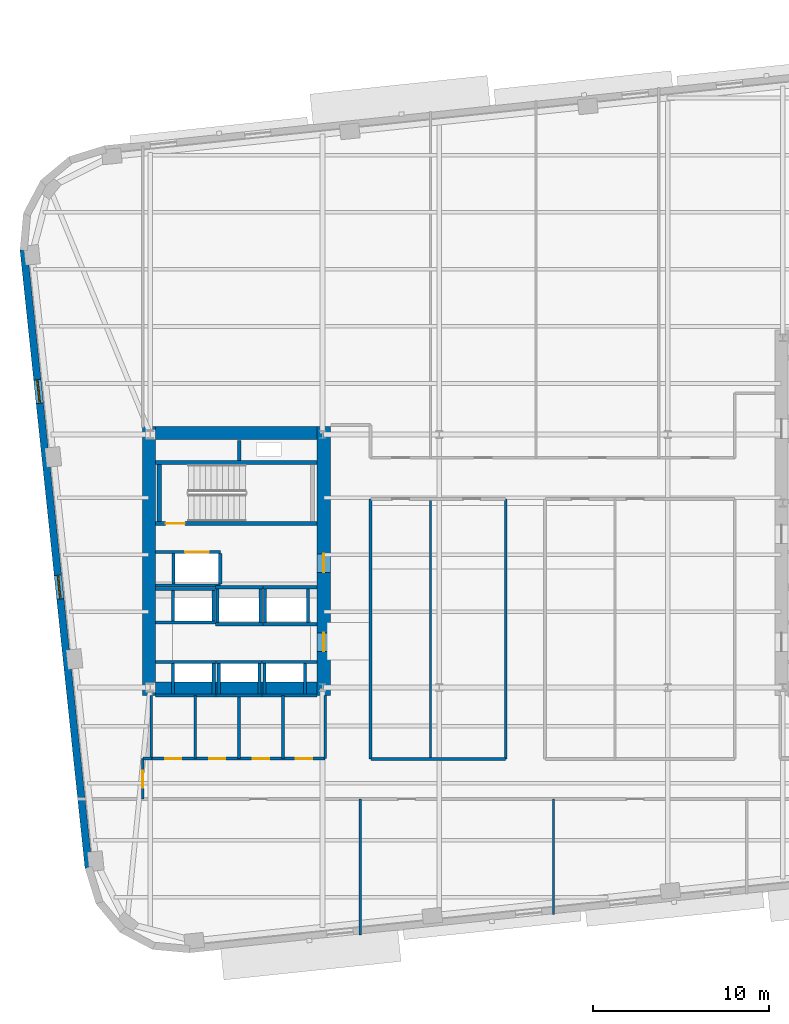
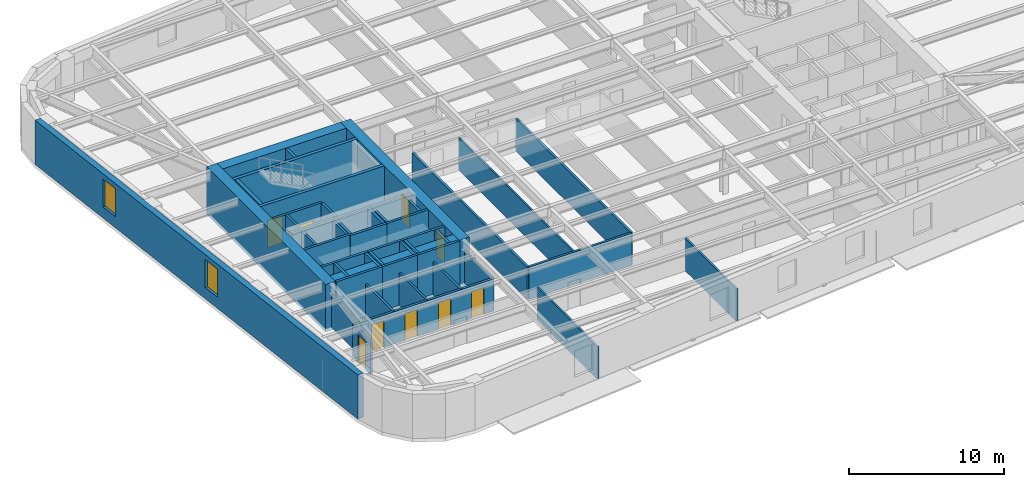
# One storey, part 4 of 13: 51 walls, 9 doors, 2 windows, 11 openings.
"""IFC4 building model written with IfcOpenShell, lengths in metres."""

from ifc_helpers import new_model, si_unit, direction, frame, frame_2d, origin, place, context, subcontext, project, spatial, rectangle, extrude, material, layer, layer_set, type_object, element, fill, save


model = new_model("IFC4")

# Units and contexts
model_context = context("Model", 3, precision=1e-05, world=origin(), true_north=direction((0.0, 1.0)))
body_context = subcontext(model_context, "Body", "Model", "MODEL_VIEW")
ifc_project = project(units=[si_unit("LENGTHUNIT", "METRE"), si_unit("AREAUNIT", "SQUARE_METRE"), si_unit("VOLUMEUNIT", "CUBIC_METRE"), si_unit("PLANEANGLEUNIT", "RADIAN"), si_unit("MASSUNIT", "GRAM", prefix="KILO")], contexts=[model_context])

# Site, building, storey
site_placement = place(None, origin())
site = spatial("IfcSite", under=ifc_project, at=site_placement, CompositionType="ELEMENT")
building_placement = place(site_placement, origin())
building = spatial("IfcBuilding", under=site, at=building_placement, Name="Kolvaren Arena Tower", CompositionType="ELEMENT")
storey_placement = place(building_placement, frame((0.0, 0.0, 114.699951171875)))
storey = spatial("IfcBuildingStorey", under=building, at=storey_placement, Name="L26", CompositionType="ELEMENT", Elevation=114.699951171875)

# Walls
ifc_material_1 = material(Name="Gypsum board acoustic assembly", Category="gypsum")
ifc_layer_1 = layer(ifc_material_1, 0.159912109375)
ifc_layer_set_1 = layer_set([ifc_layer_1], Name="Gypsum board acoustic assembly")
wall_type_1 = type_object("IfcWallType", Name="CORR-160", PredefinedType="PARTITIONING", material=ifc_layer_set_1)
wall_1_placement = place(storey_placement, frame((27.10009765625, 15.3798828125, 0.0), z_axis=(0.0, 0.0, 1.0), x_axis=(1.0, 0.0, 0.0)))
element("IfcWall", 1, at=wall_1_placement, inside=storey, type_object=wall_type_1, Name="Interior Partition Wall (L26)", PredefinedType="PARTITIONING", context=body_context, shape_type="SweptSolid", body=[
    extrude(rectangle(XDim=7.659912109375, YDim=0.159912109375, at=frame_2d((3.830078125, 0.0))), origin(), (0.0, 0.0, 1.0), 2.5400390625),
])
for number, where, z_axis, x_axis, name in (
    (2, (34.780029296875, 15.3798828125, 0.0), (0.0, 0.0, 1.0), (0.0, 1.0, 0.0), "Interior Partition Wall (L26)"),
    (3, (27.080078125, 15.3798828125, 0.0), (0.0, 0.0, 1.0), (0.0, 1.0, 0.0), "Interior Partition Wall (L26)"),
):
    element("IfcWall", number, at=place(storey_placement, frame(where, z_axis=z_axis, x_axis=x_axis)), inside=storey, type_object=wall_type_1, Name=name, PredefinedType="PARTITIONING", context=body_context, shape_type="SweptSolid", body=[
        extrude(rectangle(XDim=14.800048828125, YDim=0.159912109375, at=frame_2d((7.39990234375, 0.0))), origin(), (0.0, 0.0, 1.0), 2.5400390625),
    ])

# Wall, opening, door
wall_2_placement = place(storey_placement, frame((14.1201171875, 13.10009765625, 0.0), z_axis=(0.0, 0.0, 1.0), x_axis=(0.0, 1.0, 0.0)))
wall_2 = element("IfcWall", 4, at=wall_2_placement, inside=storey, type_object=wall_type_1, Name="Interior Partition Wall (L26)", PredefinedType="PARTITIONING", context=body_context, shape_type="SweptSolid", body=[
    extrude(rectangle(XDim=2.2998046875, YDim=0.159912109375, at=frame_2d((1.14990234375, 0.0))), origin(), (0.0, 0.0, 1.0), 2.5400390625),
])
opening_1_placement = place(wall_2_placement, frame((0.64990234375, 0.0, 0.0)))
opening_1 = element("IfcOpeningElement", 5, at=opening_1_placement, cuts=wall_2, Name="Opening D05", PredefinedType="OPENING", context=body_context, shape_type="SweptSolid", body=[
    extrude(rectangle(XDim=0.949951171875, YDim=2.14990234375, at=frame_2d((0.47509765625, 1.074951171875))), frame((0.0, 0.08984375, 0.0), z_axis=(0.0, -1.0, 0.0), x_axis=(1.0, 0.0, 0.0)), (0.0, 0.0, 1.0), 0.179931640625),
])
ifc_material_2 = material(Name="Solid-core oak acoustic office door", Category="wood")
door_type_1 = type_object("IfcDoorType", Name="DOOR-OF-095", OperationType="NOTDEFINED", PredefinedType="DOOR", material=ifc_material_2)
door_1_placement = place(opening_1_placement, origin())
door_1 = element("IfcDoor", 6, at=door_1_placement, inside=storey, type_object=door_type_1, Name="West Wing Office Door (L26)", OperationType="SINGLE_SWING_LEFT", OverallHeight=2.14990234375, OverallWidth=0.949951171875, PredefinedType="DOOR", context=body_context, shape_type="SweptSolid", body=[
    extrude(rectangle(XDim=0.949951171875, YDim=2.14990234375, at=frame_2d((0.47509765625, 1.074951171875))), frame((0.0, 0.02490234375, 0.0), z_axis=(0.0, -1.0, 0.0), x_axis=(1.0, 0.0, 0.0)), (0.0, 0.0, 1.0), 0.050048828125),
])
fill(opening_1, door_1)

# Walls
wall_3_placement = place(storey_placement, frame((14.1201171875, 15.39990234375, 0.0), z_axis=(0.0, 0.0, 1.0), x_axis=(1.0, 0.0, 0.0)))
element("IfcWall", 7, at=wall_3_placement, inside=storey, type_object=wall_type_1, Name="Interior Partition Wall (L26)", PredefinedType="PARTITIONING", context=body_context, shape_type="SweptSolid", body=[
    extrude(rectangle(XDim=0.5, YDim=0.159912109375, at=frame_2d((0.25, 0.0))), origin(), (0.0, 0.0, 1.0), 2.5400390625),
])
ifc_material_3 = material(Name="Concrete 70 MPa", Category="concrete")
ifc_layer_2 = layer(ifc_material_3, 0.75)
ifc_layer_set_2 = layer_set([ifc_layer_2], Name="Concrete 70 MPa")
wall_type_2 = type_object("IfcWallType", Name="CWALL-750", PredefinedType="SHEAR", material=ifc_layer_set_2)
wall_4_placement = place(storey_placement, frame((14.47509765625, 19.0, -0.27001953125), z_axis=(0.0, 0.0, 1.0), x_axis=(0.0, 1.0, 0.0)))
element("IfcWall", 8, at=wall_4_placement, inside=storey, type_object=wall_type_2, Name="Core Shear Wall WC-WEST (L26)", PredefinedType="SHEAR", context=body_context, shape_type="SweptSolid", body=[
    extrude(rectangle(XDim=15.300048828125, YDim=0.75, at=frame_2d((7.64990234375, 0.0))), origin(), (0.0, 0.0, 1.0), 3.75),
])

# Wall, openings, doors
wall_5_placement = place(storey_placement, frame((24.425048828125, 19.0, -0.27001953125), z_axis=(0.0, 0.0, 1.0), x_axis=(0.0, 1.0, 0.0)))
wall_5 = element("IfcWall", 9, at=wall_5_placement, inside=storey, type_object=wall_type_2, Name="Core Shear Wall WC-EAST (L26)", PredefinedType="SHEAR", context=body_context, shape_type="SweptSolid", body=[
    extrude(rectangle(XDim=15.300048828125, YDim=0.75, at=frame_2d((7.64990234375, 0.0))), origin(), (0.0, 0.0, 1.0), 3.75),
])
opening_2_placement = place(wall_5_placement, frame((2.5, 0.0, 0.27001953125)))
opening_2 = element("IfcOpeningElement", 10, at=opening_2_placement, cuts=wall_5, Name="Opening D04", PredefinedType="OPENING", context=body_context, shape_type="SweptSolid", body=[
    extrude(rectangle(XDim=1.050048828125, YDim=2.14990234375, at=frame_2d((0.52490234375, 1.074951171875))), frame((0.0, 0.385009765625, 0.0), z_axis=(0.0, -1.0, 0.0), x_axis=(1.0, 0.0, 0.0)), (0.0, 0.0, 1.0), 0.77001953125),
])
opening_3_placement = place(wall_5_placement, frame((7.0, 0.0, 0.27001953125)))
opening_3 = element("IfcOpeningElement", 11, at=opening_3_placement, cuts=wall_5, Name="Opening D04", PredefinedType="OPENING", context=body_context, shape_type="SweptSolid", body=[
    extrude(rectangle(XDim=1.050048828125, YDim=2.14990234375, at=frame_2d((0.52490234375, 1.074951171875))), frame((0.0, 0.385009765625, 0.0), z_axis=(0.0, -1.0, 0.0), x_axis=(1.0, 0.0, 0.0)), (0.0, 0.0, 1.0), 0.77001953125),
])
ifc_material_4 = material(Name="Fire-rated steel lobby door", Category="steel")
door_type_2 = type_object("IfcDoorType", Name="DOOR-FF-105", OperationType="NOTDEFINED", PredefinedType="DOOR", material=ifc_material_4)
door_2_placement = place(opening_2_placement, origin())
door_2 = element("IfcDoor", 12, at=door_2_placement, inside=storey, type_object=door_type_2, Name="West Lift Lobby Fire Door (L26)", OperationType="SINGLE_SWING_LEFT", OverallHeight=2.14990234375, OverallWidth=1.050048828125, PredefinedType="DOOR", context=body_context, shape_type="SweptSolid", body=[
    extrude(rectangle(XDim=1.050048828125, YDim=2.14990234375, at=frame_2d((0.52490234375, 1.074951171875))), frame((0.0, 0.02490234375, 0.0), z_axis=(0.0, -1.0, 0.0), x_axis=(1.0, 0.0, 0.0)), (0.0, 0.0, 1.0), 0.050048828125),
])
fill(opening_2, door_2)
door_3_placement = place(opening_3_placement, origin())
door_3 = element("IfcDoor", 13, at=door_3_placement, inside=storey, type_object=door_type_2, Name="West Firefighter Vestibule Door (L26)", OperationType="SINGLE_SWING_RIGHT", OverallHeight=2.14990234375, OverallWidth=1.050048828125, PredefinedType="DOOR", context=body_context, shape_type="SweptSolid", body=[
    extrude(rectangle(XDim=1.050048828125, YDim=2.14990234375, at=frame_2d((0.52490234375, 1.074951171875))), frame((0.0, 0.02490234375, 0.0), z_axis=(0.0, -1.0, 0.0), x_axis=(1.0, 0.0, 0.0)), (0.0, 0.0, 1.0), 0.050048828125),
])
fill(opening_3, door_3)

# Walls
for number, where, z_axis, x_axis, name in (
    (14, (14.85009765625, 19.375, -0.27001953125), (0.0, 0.0, 1.0), (1.0, 0.0, 0.0), "Core Shear Wall WC-SOUTH (L26)"),
    (15, (14.85009765625, 33.925048828125, -0.27001953125), (0.0, 0.0, 1.0), (1.0, 0.0, 0.0), "Core Shear Wall WC-NORTH (L26)"),
):
    element("IfcWall", number, at=place(storey_placement, frame(where, z_axis=z_axis, x_axis=x_axis)), inside=storey, type_object=wall_type_2, Name=name, PredefinedType="SHEAR", context=body_context, shape_type="SweptSolid", body=[
        extrude(rectangle(XDim=9.199951171875, YDim=0.75, at=frame_2d((4.60009765625, 0.0))), origin(), (0.0, 0.0, 1.0), 3.75),
    ])

# Wall, openings, windows
ifc_material_5 = material(Name="Precast concrete C50/60", Category="concrete")
ifc_layer_3 = layer(ifc_material_5, 0.419921875)
ifc_layer_set_3 = layer_set([ifc_layer_3], Name="Precast concrete C50/60")
wall_type_3 = type_object("IfcWallType", Name="EXT-PIER1", PredefinedType="SOLIDWALL", material=ifc_layer_set_3)
wall_6_placement = place(storey_placement, frame((11.039794921875, 9.16943359375, 0.0), z_axis=(0.0, 0.0, 1.0), x_axis=(-0.104532207177, 0.99452150186, 0.0)))
wall_6 = element("IfcWall", 16, at=wall_6_placement, inside=storey, type_object=wall_type_3, Name="Exterior Precast Masonry-Frame Wall (L26)", PredefinedType="SOLIDWALL", context=body_context, shape_type="SweptSolid", body=[
    extrude(rectangle(XDim=35.39990234375, YDim=0.419921875, at=frame_2d((17.699951171875, 0.0))), origin(), (0.0, 0.0, 1.0), 3.47998046875),
])
opening_4_placement = place(wall_6_placement, frame((15.39990234375, 0.0, 0.8798828125)))
opening_4 = element("IfcOpeningElement", 17, at=opening_4_placement, cuts=wall_6, Name="Opening W04", PredefinedType="OPENING", context=body_context, shape_type="SweptSolid", body=[
    extrude(rectangle(XDim=1.35009765625, YDim=2.199951171875, at=frame_2d((0.675048828125, 1.10009765625))), frame((0.0, 0.219970703125, 0.0), z_axis=(0.0, -1.0, 0.0), x_axis=(1.0, 0.0, 0.0)), (0.0, 0.0, 1.0), 0.43994140625),
])
opening_5_placement = place(wall_6_placement, frame((26.60009765625, 0.0, 0.8798828125)))
opening_5 = element("IfcOpeningElement", 18, at=opening_5_placement, cuts=wall_6, Name="Opening W04", PredefinedType="OPENING", context=body_context, shape_type="SweptSolid", body=[
    extrude(rectangle(XDim=1.35009765625, YDim=2.199951171875, at=frame_2d((0.675048828125, 1.10009765625))), frame((0.0, 0.219970703125, 0.0), z_axis=(0.0, -1.0, 0.0), x_axis=(1.0, 0.0, 0.0)), (0.0, 0.0, 1.0), 0.43994140625),
])
ifc_material_6 = material(Name="Triple-glazed curved-facet corner window", Category="glass")
window_type = type_object("IfcWindowType", Name="WIN-CRN-A", PartitioningType="SINGLE_PANEL", PredefinedType="WINDOW", material=ifc_material_6)
window_1_placement = place(opening_4_placement, origin())
window_1 = element("IfcWindow", 19, at=window_1_placement, inside=storey, type_object=window_type, Name="End-Wall Punched Window (L26)", OverallHeight=2.199951171875, OverallWidth=1.35009765625, PartitioningType="SINGLE_PANEL", PredefinedType="WINDOW", context=body_context, shape_type="SweptSolid", body=[
    extrude(rectangle(XDim=1.35009765625, YDim=2.199951171875, at=frame_2d((0.675048828125, 1.10009765625))), frame((0.0, 0.030029296875, 0.0), z_axis=(0.0, -1.0, 0.0), x_axis=(1.0, 0.0, 0.0)), (0.0, 0.0, 1.0), 0.06005859375),
])
fill(opening_4, window_1)
window_2_placement = place(opening_5_placement, origin())
window_2 = element("IfcWindow", 20, at=window_2_placement, inside=storey, type_object=window_type, Name="End-Wall Punched Window (L26)", OverallHeight=2.199951171875, OverallWidth=1.35009765625, PartitioningType="SINGLE_PANEL", PredefinedType="WINDOW", context=body_context, shape_type="SweptSolid", body=[
    extrude(rectangle(XDim=1.35009765625, YDim=2.199951171875, at=frame_2d((0.675048828125, 1.10009765625))), frame((0.0, 0.030029296875, 0.0), z_axis=(0.0, -1.0, 0.0), x_axis=(1.0, 0.0, 0.0)), (0.0, 0.0, 1.0), 0.06005859375),
])
fill(opening_5, window_2)

# Walls
ifc_material_7 = material(Name="Gypsum board partition assembly", Category="gypsum")
ifc_layer_4 = layer(ifc_material_7, 0.114990234375)
ifc_layer_set_4 = layer_set([ifc_layer_4], Name="Gypsum board partition assembly")
wall_type_4 = type_object("IfcWallType", Name="PART-115", PredefinedType="PARTITIONING", material=ifc_layer_set_4)
wall_7_placement = place(storey_placement, frame((30.5, 15.3798828125, 0.0), z_axis=(0.0, 0.0, 1.0), x_axis=(0.0, 1.0, 0.0)))
element("IfcWall", 21, at=wall_7_placement, inside=storey, type_object=wall_type_4, Name="Interior Partition Wall (L26)", PredefinedType="PARTITIONING", context=body_context, shape_type="SweptSolid", body=[
    extrude(rectangle(XDim=14.800048828125, YDim=0.114990234375, at=frame_2d((7.39990234375, 0.0))), origin(), (0.0, 0.0, 1.0), 2.5400390625),
])
ifc_layer_5 = layer(ifc_material_7, 0.135009765625)
ifc_layer_set_5 = layer_set([ifc_layer_5], Name="Gypsum board partition assembly")
wall_type_5 = type_object("IfcWallType", Name="PART-135", PredefinedType="PARTITIONING", material=ifc_layer_set_5)
wall_8_placement = place(storey_placement, frame((26.5, 5.36474609375, 0.0), z_axis=(0.0, 0.0, 1.0), x_axis=(0.0, 1.0, 0.0)))
element("IfcWall", 22, at=wall_8_placement, inside=storey, type_object=wall_type_5, Name="Interior Partition Wall (L26)", PredefinedType="PARTITIONING", context=body_context, shape_type="SweptSolid", body=[
    extrude(rectangle(XDim=7.7353515625, YDim=0.135009765625, at=frame_2d((3.86767578125, 0.0))), origin(), (0.0, 0.0, 1.0), 2.5400390625),
])
wall_9_placement = place(storey_placement, frame((37.5, 6.520751953125, 0.0), z_axis=(0.0, 0.0, 1.0), x_axis=(0.0, 1.0, 0.0)))
element("IfcWall", 23, at=wall_9_placement, inside=storey, type_object=wall_type_5, Name="Interior Partition Wall (L26)", PredefinedType="PARTITIONING", context=body_context, shape_type="SweptSolid", body=[
    extrude(rectangle(XDim=6.579345703125, YDim=0.135009765625, at=frame_2d((3.28955078125, 0.0))), origin(), (0.0, 0.0, 1.0), 2.5400390625),
])

# Wall, opening, door
ifc_material_8 = material(Name="Concrete 45 MPa", Category="concrete")
ifc_layer_6 = layer(ifc_material_8, 0.25)
ifc_layer_set_6 = layer_set([ifc_layer_6], Name="Concrete 45 MPa")
wall_type_6 = type_object("IfcWallType", Name="SHAFT-250", PredefinedType="SOLIDWALL", material=ifc_layer_set_6)
wall_10_placement = place(storey_placement, frame((24.050048828125, 28.780029296875, 0.0), z_axis=(0.0, 0.0, 1.0), x_axis=(-1.0, 0.0, 0.0)))
wall_10 = element("IfcWall", 24, at=wall_10_placement, inside=storey, type_object=wall_type_6, Name="Core Shaft Wall (L26)", PredefinedType="SOLIDWALL", context=body_context, shape_type="SweptSolid", body=[
    extrude(rectangle(XDim=9.199951171875, YDim=0.239990234375, at=frame_2d((4.60009765625, 0.0))), origin(), (0.0, 0.0, 1.0), 3.47998046875),
])
opening_6_placement = place(wall_10_placement, frame((7.530029296875, 0.0, 0.0)))
opening_6 = element("IfcOpeningElement", 25, at=opening_6_placement, cuts=wall_10, Name="Opening D03", PredefinedType="OPENING", context=body_context, shape_type="SweptSolid", body=[
    extrude(rectangle(XDim=1.10009765625, YDim=2.14990234375, at=frame_2d((0.550048828125, 1.074951171875))), frame((0.0, 0.1298828125, 0.0), z_axis=(0.0, -1.0, 0.0), x_axis=(1.0, 0.0, 0.0)), (0.0, 0.0, 1.0), 0.260009765625),
])
ifc_material_9 = material(Name="Fire-rated steel exit stair door", Category="steel")
door_type_3 = type_object("IfcDoorType", Name="DOOR-ST-110", OperationType="NOTDEFINED", PredefinedType="DOOR", material=ifc_material_9)
door_4_placement = place(opening_6_placement, origin())
door_4 = element("IfcDoor", 26, at=door_4_placement, inside=storey, type_object=door_type_3, Name="Stair ST-W1 Fire Door (L26)", OperationType="SINGLE_SWING_RIGHT", OverallHeight=2.14990234375, OverallWidth=1.10009765625, PredefinedType="DOOR", context=body_context, shape_type="SweptSolid", body=[
    extrude(rectangle(XDim=1.10009765625, YDim=2.14990234375, at=frame_2d((0.550048828125, 1.074951171875))), frame((0.0, 0.02490234375, 0.0), z_axis=(0.0, -1.0, 0.0), x_axis=(1.0, 0.0, 0.0)), (0.0, 0.0, 1.0), 0.050048828125),
])
fill(opening_6, door_4)

# Walls
wall_11_placement = place(storey_placement, frame((14.85009765625, 32.25, 0.0), z_axis=(0.0, 0.0, 1.0), x_axis=(1.0, 0.0, 0.0)))
element("IfcWall", 27, at=wall_11_placement, inside=storey, type_object=wall_type_6, Name="Core Shaft Wall (L26)", PredefinedType="SOLIDWALL", context=body_context, shape_type="SweptSolid", body=[
    extrude(rectangle(XDim=9.199951171875, YDim=0.239990234375, at=frame_2d((4.60009765625, 0.0))), origin(), (0.0, 0.0, 1.0), 3.47998046875),
])
wall_12_placement = place(storey_placement, frame((15.06005859375, 28.89990234375, 0.0), z_axis=(0.0, 0.0, 1.0), x_axis=(0.0, 1.0, 0.0)))
element("IfcWall", 28, at=wall_12_placement, inside=storey, type_object=wall_type_6, Name="Core Shaft Wall (L26)", PredefinedType="SOLIDWALL", context=body_context, shape_type="SweptSolid", body=[
    extrude(rectangle(XDim=3.22998046875, YDim=0.239990234375, at=frame_2d((1.614990234375, 0.0))), origin(), (0.0, 0.0, 1.0), 3.47998046875),
])
wall_13_placement = place(storey_placement, frame((19.60009765625, 32.3701171875, 0.0), z_axis=(0.0, 0.0, 1.0), x_axis=(0.0, 1.0, 0.0)))
element("IfcWall", 29, at=wall_13_placement, inside=storey, type_object=wall_type_6, Name="Core Shaft Wall (L26)", PredefinedType="SOLIDWALL", context=body_context, shape_type="SweptSolid", body=[
    extrude(rectangle(XDim=1.1298828125, YDim=0.199951171875, at=frame_2d((0.56494140625, 0.0))), origin(), (0.0, 0.0, 1.0), 3.47998046875),
])
for number, where, z_axis, x_axis, name in (
    (30, (14.85009765625, 20.905029296875, 0.0), (0.0, 0.0, 1.0), (1.0, 0.0, 0.0), "Core Shaft Wall (L26)"),
    (31, (14.85009765625, 18.9951171875, 0.0), (0.0, 0.0, 1.0), (1.0, 0.0, 0.0), "Core Shaft Wall (L26)"),
):
    element("IfcWall", number, at=place(storey_placement, frame(where, z_axis=z_axis, x_axis=x_axis)), inside=storey, type_object=wall_type_6, Name=name, PredefinedType="SOLIDWALL", context=body_context, shape_type="SweptSolid", body=[
        extrude(rectangle(XDim=3.449951171875, YDim=0.179931640625, at=frame_2d((1.72509765625, 0.0))), origin(), (0.0, 0.0, 1.0), 3.47998046875),
    ])
for number, where, z_axis, x_axis, name in (
    (32, (15.844970703125, 19.0849609375, 0.0), (0.0, 0.0, 1.0), (0.0, 1.0, 0.0), "Core Shaft Wall (L26)"),
    (33, (18.155029296875, 19.0849609375, 0.0), (0.0, 0.0, 1.0), (0.0, 1.0, 0.0), "Core Shaft Wall (L26)"),
):
    element("IfcWall", number, at=place(storey_placement, frame(where, z_axis=z_axis, x_axis=x_axis)), inside=storey, type_object=wall_type_6, Name=name, PredefinedType="SOLIDWALL", context=body_context, shape_type="SweptSolid", body=[
        extrude(rectangle(XDim=1.72998046875, YDim=0.179931640625, at=frame_2d((0.864990234375, 0.0))), origin(), (0.0, 0.0, 1.0), 3.47998046875),
    ])
for number, where, z_axis, x_axis, name in (
    (34, (18.300048828125, 20.905029296875, 0.0), (0.0, 0.0, 1.0), (1.0, 0.0, 0.0), "Core Shaft Wall (L26)"),
    (35, (18.300048828125, 18.9951171875, 0.0), (0.0, 0.0, 1.0), (1.0, 0.0, 0.0), "Core Shaft Wall (L26)"),
):
    element("IfcWall", number, at=place(storey_placement, frame(where, z_axis=z_axis, x_axis=x_axis)), inside=storey, type_object=wall_type_6, Name=name, PredefinedType="SOLIDWALL", context=body_context, shape_type="SweptSolid", body=[
        extrude(rectangle(XDim=2.599853515625, YDim=0.179931640625, at=frame_2d((1.2998046875, 0.0))), origin(), (0.0, 0.0, 1.0), 3.47998046875),
    ])
for number, where, z_axis, x_axis, name in (
    (36, (18.445068359375, 19.0849609375, 0.0), (0.0, 0.0, 1.0), (0.0, 1.0, 0.0), "Core Shaft Wall (L26)"),
    (37, (20.7548828125, 19.0849609375, 0.0), (0.0, 0.0, 1.0), (0.0, 1.0, 0.0), "Core Shaft Wall (L26)"),
):
    element("IfcWall", number, at=place(storey_placement, frame(where, z_axis=z_axis, x_axis=x_axis)), inside=storey, type_object=wall_type_6, Name=name, PredefinedType="SOLIDWALL", context=body_context, shape_type="SweptSolid", body=[
        extrude(rectangle(XDim=1.72998046875, YDim=0.179931640625, at=frame_2d((0.864990234375, 0.0))), origin(), (0.0, 0.0, 1.0), 3.47998046875),
    ])
for number, where, z_axis, x_axis, name in (
    (38, (20.89990234375, 20.905029296875, 0.0), (0.0, 0.0, 1.0), (1.0, 0.0, 0.0), "Core Shaft Wall (L26)"),
    (39, (20.89990234375, 18.9951171875, 0.0), (0.0, 0.0, 1.0), (1.0, 0.0, 0.0), "Core Shaft Wall (L26)"),
):
    element("IfcWall", number, at=place(storey_placement, frame(where, z_axis=z_axis, x_axis=x_axis)), inside=storey, type_object=wall_type_6, Name=name, PredefinedType="SOLIDWALL", context=body_context, shape_type="SweptSolid", body=[
        extrude(rectangle(XDim=3.150146484375, YDim=0.179931640625, at=frame_2d((1.5751953125, 0.0))), origin(), (0.0, 0.0, 1.0), 3.47998046875),
    ])
for number, where, z_axis, x_axis, name in (
    (40, (21.044921875, 19.0849609375, 0.0), (0.0, 0.0, 1.0), (0.0, 1.0, 0.0), "Core Shaft Wall (L26)"),
    (41, (23.35498046875, 19.0849609375, 0.0), (0.0, 0.0, 1.0), (0.0, 1.0, 0.0), "Core Shaft Wall (L26)"),
):
    element("IfcWall", number, at=place(storey_placement, frame(where, z_axis=z_axis, x_axis=x_axis)), inside=storey, type_object=wall_type_6, Name=name, PredefinedType="SOLIDWALL", context=body_context, shape_type="SweptSolid", body=[
        extrude(rectangle(XDim=1.72998046875, YDim=0.179931640625, at=frame_2d((0.864990234375, 0.0))), origin(), (0.0, 0.0, 1.0), 3.47998046875),
    ])
for number, where, z_axis, x_axis, name in (
    (42, (14.85009765625, 25.054931640625, 0.0), (0.0, 0.0, 1.0), (1.0, 0.0, 0.0), "Core Shaft Wall (L26)"),
    (43, (14.85009765625, 23.14501953125, 0.0), (0.0, 0.0, 1.0), (1.0, 0.0, 0.0), "Core Shaft Wall (L26)"),
):
    element("IfcWall", number, at=place(storey_placement, frame(where, z_axis=z_axis, x_axis=x_axis)), inside=storey, type_object=wall_type_6, Name=name, PredefinedType="SOLIDWALL", context=body_context, shape_type="SweptSolid", body=[
        extrude(rectangle(XDim=3.412353515625, YDim=0.179931640625, at=frame_2d((1.7060546875, 0.0))), origin(), (0.0, 0.0, 1.0), 3.47998046875),
    ])
for number, where, z_axis, x_axis, name in (
    (44, (15.844970703125, 23.235107421875, 0.0), (0.0, 0.0, 1.0), (0.0, 1.0, 0.0), "Core Shaft Wall (L26)"),
    (45, (18.155029296875, 23.235107421875, 0.0), (0.0, 0.0, 1.0), (0.0, 1.0, 0.0), "Core Shaft Wall (L26)"),
):
    element("IfcWall", number, at=place(storey_placement, frame(where, z_axis=z_axis, x_axis=x_axis)), inside=storey, type_object=wall_type_6, Name=name, PredefinedType="SOLIDWALL", context=body_context, shape_type="SweptSolid", body=[
        extrude(rectangle(XDim=1.72998046875, YDim=0.179931640625, at=frame_2d((0.864990234375, 0.0))), origin(), (0.0, 0.0, 1.0), 3.47998046875),
    ])
for number, where, z_axis, x_axis, name in (
    (46, (18.262451171875, 25.155029296875, 0.0), (0.0, 0.0, 1.0), (1.0, 0.0, 0.0), "Core Shaft Wall (L26)"),
    (47, (18.262451171875, 23.044921875, 0.0), (0.0, 0.0, 1.0), (1.0, 0.0, 0.0), "Core Shaft Wall (L26)"),
):
    element("IfcWall", number, at=place(storey_placement, frame(where, z_axis=z_axis, x_axis=x_axis)), inside=storey, type_object=wall_type_6, Name=name, PredefinedType="SOLIDWALL", context=body_context, shape_type="SweptSolid", body=[
        extrude(rectangle(XDim=2.6875, YDim=0.179931640625, at=frame_2d((1.34375, 0.0))), origin(), (0.0, 0.0, 1.0), 3.47998046875),
    ])
for number, where, z_axis, x_axis, name in (
    (48, (18.3701171875, 23.135009765625, 0.0), (0.0, 0.0, 1.0), (0.0, 1.0, 0.0), "Core Shaft Wall (L26)"),
    (49, (20.830078125, 23.135009765625, 0.0), (0.0, 0.0, 1.0), (0.0, 1.0, 0.0), "Core Shaft Wall (L26)"),
):
    element("IfcWall", number, at=place(storey_placement, frame(where, z_axis=z_axis, x_axis=x_axis)), inside=storey, type_object=wall_type_6, Name=name, PredefinedType="SOLIDWALL", context=body_context, shape_type="SweptSolid", body=[
        extrude(rectangle(XDim=1.929931640625, YDim=0.179931640625, at=frame_2d((0.96484375, 0.0))), origin(), (0.0, 0.0, 1.0), 3.47998046875),
    ])
for number, where, z_axis, x_axis, name in (
    (50, (20.949951171875, 25.155029296875, 0.0), (0.0, 0.0, 1.0), (1.0, 0.0, 0.0), "Core Shaft Wall (L26)"),
    (51, (20.949951171875, 23.044921875, 0.0), (0.0, 0.0, 1.0), (1.0, 0.0, 0.0), "Core Shaft Wall (L26)"),
):
    element("IfcWall", number, at=place(storey_placement, frame(where, z_axis=z_axis, x_axis=x_axis)), inside=storey, type_object=wall_type_6, Name=name, PredefinedType="SOLIDWALL", context=body_context, shape_type="SweptSolid", body=[
        extrude(rectangle(XDim=3.10009765625, YDim=0.179931640625, at=frame_2d((1.550048828125, 0.0))), origin(), (0.0, 0.0, 1.0), 3.47998046875),
    ])
for number, where, z_axis, x_axis, name in (
    (52, (21.070068359375, 23.135009765625, 0.0), (0.0, 0.0, 1.0), (0.0, 1.0, 0.0), "Core Shaft Wall (L26)"),
    (53, (23.530029296875, 23.135009765625, 0.0), (0.0, 0.0, 1.0), (0.0, 1.0, 0.0), "Core Shaft Wall (L26)"),
):
    element("IfcWall", number, at=place(storey_placement, frame(where, z_axis=z_axis, x_axis=x_axis)), inside=storey, type_object=wall_type_6, Name=name, PredefinedType="SOLIDWALL", context=body_context, shape_type="SweptSolid", body=[
        extrude(rectangle(XDim=1.929931640625, YDim=0.179931640625, at=frame_2d((0.96484375, 0.0))), origin(), (0.0, 0.0, 1.0), 3.47998046875),
    ])

# Wall, opening, door
wall_14_placement = place(storey_placement, frame((14.85009765625, 27.155029296875, 0.0), z_axis=(0.0, 0.0, 1.0), x_axis=(1.0, 0.0, 0.0)))
wall_14 = element("IfcWall", 54, at=wall_14_placement, inside=storey, type_object=wall_type_6, Name="Core Shaft Wall (L26)", PredefinedType="SOLIDWALL", context=body_context, shape_type="SweptSolid", body=[
    extrude(rectangle(XDim=3.679931640625, YDim=0.179931640625, at=frame_2d((1.83984375, 0.0))), origin(), (0.0, 0.0, 1.0), 3.47998046875),
])
opening_7_placement = place(wall_14_placement, frame((1.675048828125, 0.0, 0.0)))
opening_7 = element("IfcOpeningElement", 55, at=opening_7_placement, cuts=wall_14, Name="Opening LD2", PredefinedType="OPENING", context=body_context, shape_type="SweptSolid", body=[
    extrude(rectangle(XDim=1.35009765625, YDim=2.300048828125, at=frame_2d((0.675048828125, 1.14990234375))), frame((0.0, 0.099853515625, 0.0), z_axis=(0.0, -1.0, 0.0), x_axis=(1.0, 0.0, 0.0)), (0.0, 0.0, 1.0), 0.199951171875),
])
ifc_material_10 = material(Name="Stainless steel firefighter lift landing door", Category="steel")
door_type_4 = type_object("IfcDoorType", Name="DOOR-LD-135", OperationType="DOUBLE_DOOR_SLIDING", PredefinedType="DOOR", material=ifc_material_10)
door_5_placement = place(opening_7_placement, origin())
door_5 = element("IfcDoor", 56, at=door_5_placement, inside=storey, type_object=door_type_4, Name="Firefighter Lift FF-W1 Landing Door (L26)", OperationType="DOUBLE_DOOR_SLIDING", OverallHeight=2.300048828125, OverallWidth=1.35009765625, PredefinedType="DOOR", context=body_context, shape_type="SweptSolid", body=[
    extrude(rectangle(XDim=1.35009765625, YDim=2.300048828125, at=frame_2d((0.675048828125, 1.14990234375))), frame((0.0, 0.02490234375, 0.0), z_axis=(0.0, -1.0, 0.0), x_axis=(1.0, 0.0, 0.0)), (0.0, 0.0, 1.0), 0.050048828125),
])
fill(opening_7, door_5)

# Walls
wall_15_placement = place(storey_placement, frame((14.85009765625, 25.2451171875, 0.0), z_axis=(0.0, 0.0, 1.0), x_axis=(1.0, 0.0, 0.0)))
element("IfcWall", 57, at=wall_15_placement, inside=storey, type_object=wall_type_6, Name="Core Shaft Wall (L26)", PredefinedType="SOLIDWALL", context=body_context, shape_type="SweptSolid", body=[
    extrude(rectangle(XDim=3.679931640625, YDim=0.179931640625, at=frame_2d((1.83984375, 0.0))), origin(), (0.0, 0.0, 1.0), 3.47998046875),
])
for number, where, z_axis, x_axis, name in (
    (58, (15.8701171875, 25.3349609375, 0.0), (0.0, 0.0, 1.0), (0.0, 1.0, 0.0), "Core Shaft Wall (L26)"),
    (59, (18.530029296875, 25.3349609375, 0.0), (0.0, 0.0, 1.0), (0.0, 1.0, 0.0), "Core Shaft Wall (L26)"),
):
    element("IfcWall", number, at=place(storey_placement, frame(where, z_axis=z_axis, x_axis=x_axis)), inside=storey, type_object=wall_type_6, Name=name, PredefinedType="SOLIDWALL", context=body_context, shape_type="SweptSolid", body=[
        extrude(rectangle(XDim=1.72998046875, YDim=0.179931640625, at=frame_2d((0.864990234375, 0.0))), origin(), (0.0, 0.0, 1.0), 3.47998046875),
    ])
ifc_material_11 = material(Name="Moisture-resistant gypsum assembly", Category="gypsum")
ifc_layer_7 = layer(ifc_material_11, 0.14990234375)
ifc_layer_set_7 = layer_set([ifc_layer_7], Name="Moisture-resistant gypsum assembly")
wall_type_7 = type_object("IfcWallType", Name="WETW-150", PredefinedType="PARTITIONING", material=ifc_layer_set_7)
for number, where, z_axis, x_axis, name in (
    (60, (17.10009765625, 15.39990234375, 0.0), (0.0, 0.0, 1.0), (0.0, 1.0, 0.0), "Interior Partition Wall (L26)"),
    (61, (19.60009765625, 15.39990234375, 0.0), (0.0, 0.0, 1.0), (0.0, 1.0, 0.0), "Interior Partition Wall (L26)"),
    (62, (22.10009765625, 15.39990234375, 0.0), (0.0, 0.0, 1.0), (0.0, 1.0, 0.0), "Interior Partition Wall (L26)"),
):
    element("IfcWall", number, at=place(storey_placement, frame(where, z_axis=z_axis, x_axis=x_axis)), inside=storey, type_object=wall_type_7, Name=name, PredefinedType="PARTITIONING", context=body_context, shape_type="SweptSolid", body=[
        extrude(rectangle(XDim=3.580078125, YDim=0.14990234375, at=frame_2d((1.7900390625, 0.0))), origin(), (0.0, 0.0, 1.0), 2.5400390625),
    ])

# Wall, openings, doors
wall_16_placement = place(storey_placement, frame((14.60009765625, 15.39990234375, 0.0), z_axis=(0.0, 0.0, 1.0), x_axis=(1.0, 0.0, 0.0)))
wall_16 = element("IfcWall", 63, at=wall_16_placement, inside=storey, type_object=wall_type_7, Name="Interior Partition Wall (L26)", PredefinedType="PARTITIONING", context=body_context, shape_type="SweptSolid", body=[
    extrude(rectangle(XDim=9.89990234375, YDim=0.179931640625, at=frame_2d((4.949951171875, 0.0))), origin(), (0.0, 0.0, 1.0), 2.5400390625),
])
opening_8_placement = place(wall_16_placement, frame((0.7900390625, 0.0, 0.0)))
opening_8 = element("IfcOpeningElement", 64, at=opening_8_placement, cuts=wall_16, Name="Opening D07", PredefinedType="OPENING", context=body_context, shape_type="SweptSolid", body=[
    extrude(rectangle(XDim=0.919921875, YDim=2.10009765625, at=frame_2d((0.4599609375, 1.050048828125))), frame((0.0, 0.099853515625, 0.0), z_axis=(0.0, -1.0, 0.0), x_axis=(1.0, 0.0, 0.0)), (0.0, 0.0, 1.0), 0.199951171875),
])
opening_9_placement = place(wall_16_placement, frame((3.2900390625, 0.0, 0.0)))
opening_9 = element("IfcOpeningElement", 65, at=opening_9_placement, cuts=wall_16, Name="Opening D07", PredefinedType="OPENING", context=body_context, shape_type="SweptSolid", body=[
    extrude(rectangle(XDim=0.919921875, YDim=2.10009765625, at=frame_2d((0.4599609375, 1.050048828125))), frame((0.0, 0.099853515625, 0.0), z_axis=(0.0, -1.0, 0.0), x_axis=(1.0, 0.0, 0.0)), (0.0, 0.0, 1.0), 0.199951171875),
])
opening_10_placement = place(wall_16_placement, frame((5.7900390625, 0.0, 0.0)))
opening_10 = element("IfcOpeningElement", 66, at=opening_10_placement, cuts=wall_16, Name="Opening D07", PredefinedType="OPENING", context=body_context, shape_type="SweptSolid", body=[
    extrude(rectangle(XDim=0.919921875, YDim=2.10009765625, at=frame_2d((0.4599609375, 1.050048828125))), frame((0.0, 0.099853515625, 0.0), z_axis=(0.0, -1.0, 0.0), x_axis=(1.0, 0.0, 0.0)), (0.0, 0.0, 1.0), 0.199951171875),
])
opening_11_placement = place(wall_16_placement, frame((8.239990234375, 0.0, 0.0)))
opening_11 = element("IfcOpeningElement", 67, at=opening_11_placement, cuts=wall_16, Name="Opening D07", PredefinedType="OPENING", context=body_context, shape_type="SweptSolid", body=[
    extrude(rectangle(XDim=0.919921875, YDim=2.10009765625, at=frame_2d((0.4599609375, 1.050048828125))), frame((0.0, 0.099853515625, 0.0), z_axis=(0.0, -1.0, 0.0), x_axis=(1.0, 0.0, 0.0)), (0.0, 0.0, 1.0), 0.199951171875),
])
ifc_material_12 = material(Name="Laminate universal washroom door", Category="wood")
door_type_5 = type_object("IfcDoorType", Name="DOOR-WC-092", OperationType="NOTDEFINED", PredefinedType="DOOR", material=ifc_material_12)
door_6_placement = place(opening_8_placement, origin())
door_6 = element("IfcDoor", 68, at=door_6_placement, inside=storey, type_object=door_type_5, Name="Women Restroom Door (L26)", OperationType="SINGLE_SWING_RIGHT", OverallHeight=2.10009765625, OverallWidth=0.919921875, PredefinedType="DOOR", context=body_context, shape_type="SweptSolid", body=[
    extrude(rectangle(XDim=0.919921875, YDim=2.10009765625, at=frame_2d((0.4599609375, 1.050048828125))), frame((0.0, 0.02490234375, 0.0), z_axis=(0.0, -1.0, 0.0), x_axis=(1.0, 0.0, 0.0)), (0.0, 0.0, 1.0), 0.050048828125),
])
fill(opening_8, door_6)
door_7_placement = place(opening_9_placement, origin())
door_7 = element("IfcDoor", 69, at=door_7_placement, inside=storey, type_object=door_type_5, Name="Men Restroom Door (L26)", OperationType="SINGLE_SWING_LEFT", OverallHeight=2.10009765625, OverallWidth=0.919921875, PredefinedType="DOOR", context=body_context, shape_type="SweptSolid", body=[
    extrude(rectangle(XDim=0.919921875, YDim=2.10009765625, at=frame_2d((0.4599609375, 1.050048828125))), frame((0.0, 0.02490234375, 0.0), z_axis=(0.0, -1.0, 0.0), x_axis=(1.0, 0.0, 0.0)), (0.0, 0.0, 1.0), 0.050048828125),
])
fill(opening_9, door_7)
door_8_placement = place(opening_10_placement, origin())
door_8 = element("IfcDoor", 70, at=door_8_placement, inside=storey, type_object=door_type_5, Name="Universal Barrier-Free Washroom Door (L26)", OperationType="SINGLE_SWING_RIGHT", OverallHeight=2.10009765625, OverallWidth=0.919921875, PredefinedType="DOOR", context=body_context, shape_type="SweptSolid", body=[
    extrude(rectangle(XDim=0.919921875, YDim=2.10009765625, at=frame_2d((0.4599609375, 1.050048828125))), frame((0.0, 0.02490234375, 0.0), z_axis=(0.0, -1.0, 0.0), x_axis=(1.0, 0.0, 0.0)), (0.0, 0.0, 1.0), 0.050048828125),
])
fill(opening_10, door_8)
door_9_placement = place(opening_11_placement, origin())
door_9 = element("IfcDoor", 71, at=door_9_placement, inside=storey, type_object=door_type_5, Name="Linen Store Door (L26)", OperationType="SINGLE_SWING_LEFT", OverallHeight=2.10009765625, OverallWidth=0.919921875, PredefinedType="DOOR", context=body_context, shape_type="SweptSolid", body=[
    extrude(rectangle(XDim=0.919921875, YDim=2.10009765625, at=frame_2d((0.4599609375, 1.050048828125))), frame((0.0, 0.02490234375, 0.0), z_axis=(0.0, -1.0, 0.0), x_axis=(1.0, 0.0, 0.0)), (0.0, 0.0, 1.0), 0.050048828125),
])
fill(opening_11, door_9)

# Walls
for number, where, z_axis, x_axis, name in (
    (72, (14.60009765625, 15.39990234375, 0.0), (0.0, 0.0, 1.0), (0.0, 1.0, 0.0), "Interior Partition Wall (L26)"),
    (73, (24.5, 15.39990234375, 0.0), (0.0, 0.0, 1.0), (0.0, 1.0, 0.0), "Interior Partition Wall (L26)"),
):
    element("IfcWall", number, at=place(storey_placement, frame(where, z_axis=z_axis, x_axis=x_axis)), inside=storey, type_object=wall_type_7, Name=name, PredefinedType="PARTITIONING", context=body_context, shape_type="SweptSolid", body=[
        extrude(rectangle(XDim=3.580078125, YDim=0.14990234375, at=frame_2d((1.7900390625, 0.0))), origin(), (0.0, 0.0, 1.0), 2.5400390625),
    ])

save(model, "model.ifc")
